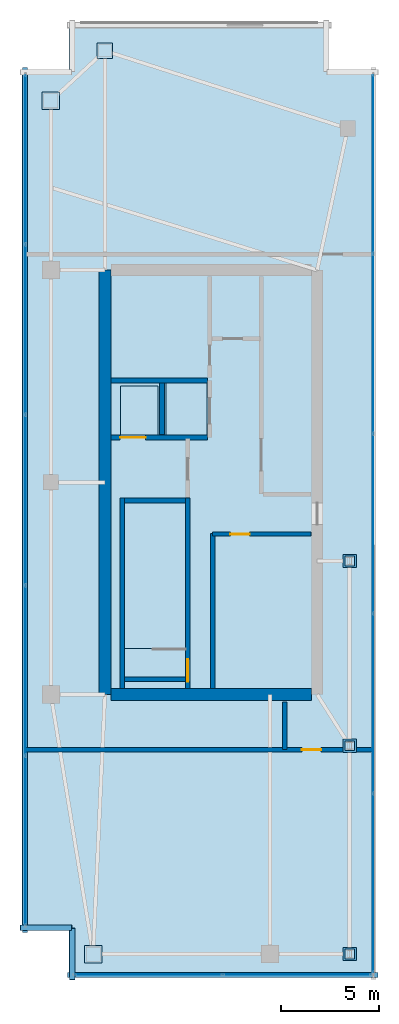
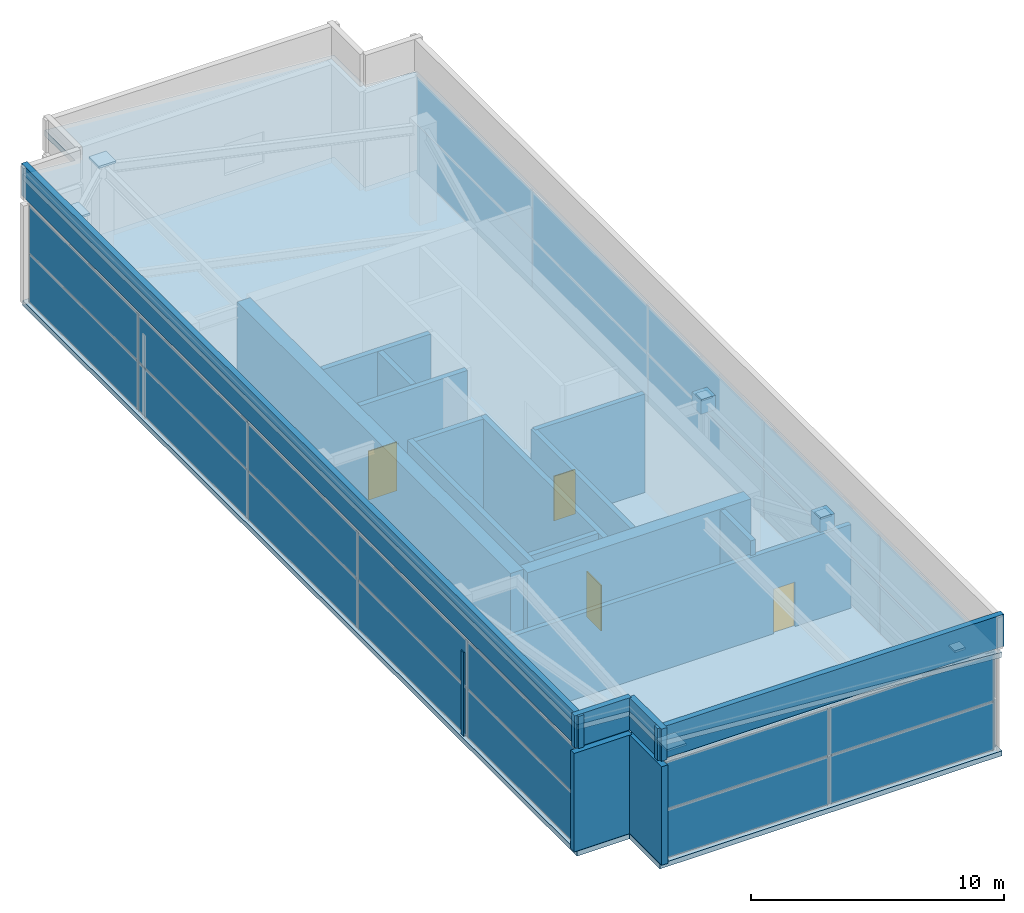
# One storey, part 18 of 20: 33 plates, 19 walls, 4 doors, 2 slabs, 4 openings, 3 elements without a shape of their own.
"""IFC4 building model written with IfcOpenShell, lengths in metres."""

from ifc_helpers import new_model, si_unit, direction, frame, frame_2d, origin, origin_2d, place, context, subcontext, project, spatial, polyline, rectangle, outline, extrude, material, layer, layer_set, type_object, element, fill, aggregate, save


model = new_model("IFC4")

# Units and contexts
model_context = context("Model", 3, precision=1e-05, world=origin(), true_north=direction((0.0, 1.0)))
body_context = subcontext(model_context, "Body", "Model", "MODEL_VIEW")
ifc_project = project(units=[si_unit("LENGTHUNIT", "METRE"), si_unit("AREAUNIT", "SQUARE_METRE"), si_unit("VOLUMEUNIT", "CUBIC_METRE"), si_unit("PLANEANGLEUNIT", "RADIAN"), si_unit("MASSUNIT", "GRAM", prefix="KILO")], contexts=[model_context])

# Site, building, storey
site_placement = place(None, origin())
site = spatial("IfcSite", under=ifc_project, at=site_placement, CompositionType="ELEMENT")
building_placement = place(site_placement, origin())
building = spatial("IfcBuilding", under=site, at=building_placement, Name="Calvorn Quay Hotel", CompositionType="ELEMENT")
storey_placement = place(building_placement, frame((0.0, 0.0, 345.5)))
storey = spatial("IfcBuildingStorey", under=building, at=storey_placement, Name="L84", CompositionType="ELEMENT", Elevation=345.5)

# Curtain wall, plates
ifc_material_1 = material(Name="Pale Anodised Aluminium and Laminated Glass", Category="aluminium")
ifc_layer_1 = layer(ifc_material_1, 0.219970703125)
ifc_layer_set_1 = layer_set([ifc_layer_1], Name="CW-SYS-CRN")
curtain_wall_type = type_object("IfcCurtainWallType", Name="CW-SYS-CRN", PredefinedType="NOTDEFINED", material=ifc_layer_set_1)
curtain_wall_1_placement = place(storey_placement, origin())
curtain_wall_1 = element("IfcCurtainWall", 1, at=curtain_wall_1_placement, inside=storey, type_object=curtain_wall_type, Name="Crown Curtain Wall L84-C1", PredefinedType="NOTDEFINED")
ifc_material_2 = material(Name="Low-E Laminated Double Glazing", Category="glass")
ifc_layer_2 = layer(ifc_material_2, 0.028076171875)
ifc_layer_set_2 = layer_set([ifc_layer_2], Name="CW-SYS-CRN-PAN")
plate_type_1 = type_object("IfcPlateType", Name="CW-SYS-CRN-PAN", PredefinedType="CURTAIN_PANEL", material=ifc_layer_set_2)
plate_1_placement = place(storey_placement, frame((6.425048828125, 2.550048828125, 0.06005859375), z_axis=(0.0, 0.0, 1.0), x_axis=(1.0, 0.0, 0.0)))
plate_1 = element("IfcPlate", 2, at=plate_1_placement, type_object=plate_type_1, Name="CW-L84-C1 panel 1.1", PredefinedType="CURTAIN_PANEL", context=body_context, shape_type="SweptSolid", body=[
    extrude(rectangle(XDim=7.489990234375, YDim=0.028076171875, at=origin_2d()), origin(), (0.0, 0.0, 1.0), 2.31005859375),
])
plate_2_placement = place(storey_placement, frame((6.425048828125, 2.550048828125, 2.43017578125), z_axis=(0.0, 0.0, 1.0), x_axis=(1.0, 0.0, 0.0)))
plate_2 = element("IfcPlate", 3, at=plate_2_placement, type_object=plate_type_1, Name="CW-L84-C1 panel 1.2", PredefinedType="CURTAIN_PANEL", context=body_context, shape_type="SweptSolid", body=[
    extrude(rectangle(XDim=7.489990234375, YDim=0.028076171875, at=origin_2d()), origin(), (0.0, 0.0, 1.0), 2.260009765625),
])
plate_3_placement = place(storey_placement, frame((13.97509765625, 2.550048828125, 0.06005859375), z_axis=(0.0, 0.0, 1.0), x_axis=(1.0, 0.0, 0.0)))
plate_3 = element("IfcPlate", 4, at=plate_3_placement, type_object=plate_type_1, Name="CW-L84-C1 panel 2.1", PredefinedType="CURTAIN_PANEL", context=body_context, shape_type="SweptSolid", body=[
    extrude(rectangle(XDim=7.489990234375, YDim=0.028076171875, at=origin_2d()), origin(), (0.0, 0.0, 1.0), 2.31005859375),
])
plate_4_placement = place(storey_placement, frame((13.97509765625, 2.550048828125, 2.43017578125), z_axis=(0.0, 0.0, 1.0), x_axis=(1.0, 0.0, 0.0)))
plate_4 = element("IfcPlate", 5, at=plate_4_placement, type_object=plate_type_1, Name="CW-L84-C1 panel 2.2", PredefinedType="CURTAIN_PANEL", context=body_context, shape_type="SweptSolid", body=[
    extrude(rectangle(XDim=7.489990234375, YDim=0.028076171875, at=origin_2d()), origin(), (0.0, 0.0, 1.0), 2.260009765625),
])
aggregate(curtain_wall_1, [plate_1, plate_2, plate_3, plate_4])

curtain_wall_2_placement = place(storey_placement, origin())
curtain_wall_2 = element("IfcCurtainWall", 6, at=curtain_wall_2_placement, inside=storey, type_object=curtain_wall_type, Name="Crown Curtain Wall L84-C2", PredefinedType="NOTDEFINED")
plate_5_placement = place(storey_placement, frame((17.85009765625, 7.2109375, 0.06005859375), z_axis=(0.0, 0.0, 1.0), x_axis=(0.0, 1.0, 0.0)))
plate_5 = element("IfcPlate", 7, at=plate_5_placement, type_object=plate_type_1, Name="CW-L84-C2 panel 1.1", PredefinedType="CURTAIN_PANEL", context=body_context, shape_type="SweptSolid", body=[
    extrude(rectangle(XDim=9.06201171875, YDim=0.028076171875, at=origin_2d()), origin(), (0.0, 0.0, 1.0), 2.31005859375),
])
plate_6_placement = place(storey_placement, frame((17.85009765625, 7.2109375, 2.43017578125), z_axis=(0.0, 0.0, 1.0), x_axis=(0.0, 1.0, 0.0)))
plate_6 = element("IfcPlate", 8, at=plate_6_placement, type_object=plate_type_1, Name="CW-L84-C2 panel 1.2", PredefinedType="CURTAIN_PANEL", context=body_context, shape_type="SweptSolid", body=[
    extrude(rectangle(XDim=9.06201171875, YDim=0.028076171875, at=origin_2d()), origin(), (0.0, 0.0, 1.0), 2.260009765625),
])
plate_7_placement = place(storey_placement, frame((17.85009765625, 16.347900390625, 0.06005859375), z_axis=(0.0, 0.0, 1.0), x_axis=(0.0, 1.0, 0.0)))
plate_7 = element("IfcPlate", 9, at=plate_7_placement, type_object=plate_type_1, Name="CW-L84-C2 panel 2.1", PredefinedType="CURTAIN_PANEL", context=body_context, shape_type="SweptSolid", body=[
    extrude(rectangle(XDim=9.092041015625, YDim=0.028076171875, at=origin_2d()), origin(), (0.0, 0.0, 1.0), 2.31005859375),
])
plate_8_placement = place(storey_placement, frame((17.85009765625, 16.347900390625, 2.43017578125), z_axis=(0.0, 0.0, 1.0), x_axis=(0.0, 1.0, 0.0)))
plate_8 = element("IfcPlate", 10, at=plate_8_placement, type_object=plate_type_1, Name="CW-L84-C2 panel 2.2", PredefinedType="CURTAIN_PANEL", context=body_context, shape_type="SweptSolid", body=[
    extrude(rectangle(XDim=9.092041015625, YDim=0.028076171875, at=origin_2d()), origin(), (0.0, 0.0, 1.0), 2.260009765625),
])
plate_9_placement = place(storey_placement, frame((17.85009765625, 25.5, 0.06005859375), z_axis=(0.0, 0.0, 1.0), x_axis=(0.0, 1.0, 0.0)))
plate_9 = element("IfcPlate", 11, at=plate_9_placement, type_object=plate_type_1, Name="CW-L84-C2 panel 3.1", PredefinedType="CURTAIN_PANEL", context=body_context, shape_type="SweptSolid", body=[
    extrude(rectangle(XDim=9.092041015625, YDim=0.028076171875, at=origin_2d()), origin(), (0.0, 0.0, 1.0), 2.31005859375),
])
plate_10_placement = place(storey_placement, frame((17.85009765625, 25.5, 2.43017578125), z_axis=(0.0, 0.0, 1.0), x_axis=(0.0, 1.0, 0.0)))
plate_10 = element("IfcPlate", 12, at=plate_10_placement, type_object=plate_type_1, Name="CW-L84-C2 panel 3.2", PredefinedType="CURTAIN_PANEL", context=body_context, shape_type="SweptSolid", body=[
    extrude(rectangle(XDim=9.092041015625, YDim=0.028076171875, at=origin_2d()), origin(), (0.0, 0.0, 1.0), 2.260009765625),
])
plate_11_placement = place(storey_placement, frame((17.85009765625, 34.652099609375, 0.06005859375), z_axis=(0.0, 0.0, 1.0), x_axis=(0.0, 1.0, 0.0)))
plate_11 = element("IfcPlate", 13, at=plate_11_placement, type_object=plate_type_1, Name="CW-L84-C2 panel 4.1", PredefinedType="CURTAIN_PANEL", context=body_context, shape_type="SweptSolid", body=[
    extrude(rectangle(XDim=9.092041015625, YDim=0.028076171875, at=origin_2d()), origin(), (0.0, 0.0, 1.0), 2.31005859375),
])
plate_12_placement = place(storey_placement, frame((17.85009765625, 34.652099609375, 2.43017578125), z_axis=(0.0, 0.0, 1.0), x_axis=(0.0, 1.0, 0.0)))
plate_12 = element("IfcPlate", 14, at=plate_12_placement, type_object=plate_type_1, Name="CW-L84-C2 panel 4.2", PredefinedType="CURTAIN_PANEL", context=body_context, shape_type="SweptSolid", body=[
    extrude(rectangle(XDim=9.092041015625, YDim=0.028076171875, at=origin_2d()), origin(), (0.0, 0.0, 1.0), 2.260009765625),
])
plate_13_placement = place(storey_placement, frame((17.85009765625, 43.7890625, 0.06005859375), z_axis=(0.0, 0.0, 1.0), x_axis=(0.0, 1.0, 0.0)))
plate_13 = element("IfcPlate", 15, at=plate_13_placement, type_object=plate_type_1, Name="CW-L84-C2 panel 5.1", PredefinedType="CURTAIN_PANEL", context=body_context, shape_type="SweptSolid", body=[
    extrude(rectangle(XDim=9.06201171875, YDim=0.028076171875, at=origin_2d()), origin(), (0.0, 0.0, 1.0), 2.31005859375),
])
plate_14_placement = place(storey_placement, frame((17.85009765625, 43.7890625, 2.43017578125), z_axis=(0.0, 0.0, 1.0), x_axis=(0.0, 1.0, 0.0)))
plate_14 = element("IfcPlate", 16, at=plate_14_placement, type_object=plate_type_1, Name="CW-L84-C2 panel 5.2", PredefinedType="CURTAIN_PANEL", context=body_context, shape_type="SweptSolid", body=[
    extrude(rectangle(XDim=9.06201171875, YDim=0.028076171875, at=origin_2d()), origin(), (0.0, 0.0, 1.0), 2.260009765625),
])
aggregate(curtain_wall_2, [plate_5, plate_6, plate_7, plate_8, plate_9, plate_10, plate_11, plate_12, plate_13, plate_14])

curtain_wall_3_placement = place(storey_placement, origin())
curtain_wall_3 = element("IfcCurtainWall", 17, at=curtain_wall_3_placement, inside=storey, type_object=curtain_wall_type, Name="Crown Curtain Wall L84-C3", PredefinedType="NOTDEFINED")
plate_15_placement = place(storey_placement, frame((0.14990234375, 44.029052734375, 0.06005859375), z_axis=(0.0, 0.0, 1.0), x_axis=(0.0, -1.0, 0.0)))
plate_15 = element("IfcPlate", 18, at=plate_15_placement, type_object=plate_type_1, Name="CW-L84-C3 panel 1.1", PredefinedType="CURTAIN_PANEL", context=body_context, shape_type="SweptSolid", body=[
    extrude(rectangle(XDim=8.58203125, YDim=0.028076171875, at=origin_2d()), origin(), (0.0, 0.0, 1.0), 2.31005859375),
])
plate_16_placement = place(storey_placement, frame((0.14990234375, 44.029052734375, 2.43017578125), z_axis=(0.0, 0.0, 1.0), x_axis=(0.0, -1.0, 0.0)))
plate_16 = element("IfcPlate", 19, at=plate_16_placement, type_object=plate_type_1, Name="CW-L84-C3 panel 1.2", PredefinedType="CURTAIN_PANEL", context=body_context, shape_type="SweptSolid", body=[
    extrude(rectangle(XDim=8.58203125, YDim=0.028076171875, at=origin_2d()), origin(), (0.0, 0.0, 1.0), 2.260009765625),
])
plate_17_placement = place(storey_placement, frame((0.14990234375, 35.3720703125, 0.06005859375), z_axis=(0.0, 0.0, 1.0), x_axis=(0.0, -1.0, 0.0)))
plate_17 = element("IfcPlate", 20, at=plate_17_placement, type_object=plate_type_1, Name="CW-L84-C3 panel 2.1", PredefinedType="CURTAIN_PANEL", context=body_context, shape_type="SweptSolid", body=[
    extrude(rectangle(XDim=8.612060546875, YDim=0.028076171875, at=origin_2d()), origin(), (0.0, 0.0, 1.0), 2.31005859375),
])
plate_18_placement = place(storey_placement, frame((0.14990234375, 35.3720703125, 2.43017578125), z_axis=(0.0, 0.0, 1.0), x_axis=(0.0, -1.0, 0.0)))
plate_18 = element("IfcPlate", 21, at=plate_18_placement, type_object=plate_type_1, Name="CW-L84-C3 panel 2.2", PredefinedType="CURTAIN_PANEL", context=body_context, shape_type="SweptSolid", body=[
    extrude(rectangle(XDim=8.612060546875, YDim=0.028076171875, at=origin_2d()), origin(), (0.0, 0.0, 1.0), 2.260009765625),
])
plate_19_placement = place(storey_placement, frame((0.14990234375, 26.699951171875, 0.06005859375), z_axis=(0.0, 0.0, 1.0), x_axis=(0.0, -1.0, 0.0)))
plate_19 = element("IfcPlate", 22, at=plate_19_placement, type_object=plate_type_1, Name="CW-L84-C3 panel 3.1", PredefinedType="CURTAIN_PANEL", context=body_context, shape_type="SweptSolid", body=[
    extrude(rectangle(XDim=8.612060546875, YDim=0.028076171875, at=origin_2d()), origin(), (0.0, 0.0, 1.0), 2.31005859375),
])
plate_20_placement = place(storey_placement, frame((0.14990234375, 26.699951171875, 2.43017578125), z_axis=(0.0, 0.0, 1.0), x_axis=(0.0, -1.0, 0.0)))
plate_20 = element("IfcPlate", 23, at=plate_20_placement, type_object=plate_type_1, Name="CW-L84-C3 panel 3.2", PredefinedType="CURTAIN_PANEL", context=body_context, shape_type="SweptSolid", body=[
    extrude(rectangle(XDim=8.612060546875, YDim=0.028076171875, at=origin_2d()), origin(), (0.0, 0.0, 1.0), 2.260009765625),
])
plate_21_placement = place(storey_placement, frame((0.14990234375, 18.028076171875, 0.06005859375), z_axis=(0.0, 0.0, 1.0), x_axis=(0.0, -1.0, 0.0)))
plate_21 = element("IfcPlate", 24, at=plate_21_placement, type_object=plate_type_1, Name="CW-L84-C3 panel 4.1", PredefinedType="CURTAIN_PANEL", context=body_context, shape_type="SweptSolid", body=[
    extrude(rectangle(XDim=8.612060546875, YDim=0.028076171875, at=origin_2d()), origin(), (0.0, 0.0, 1.0), 2.31005859375),
])
plate_22_placement = place(storey_placement, frame((0.14990234375, 18.028076171875, 2.43017578125), z_axis=(0.0, 0.0, 1.0), x_axis=(0.0, -1.0, 0.0)))
plate_22 = element("IfcPlate", 25, at=plate_22_placement, type_object=plate_type_1, Name="CW-L84-C3 panel 4.2", PredefinedType="CURTAIN_PANEL", context=body_context, shape_type="SweptSolid", body=[
    extrude(rectangle(XDim=8.612060546875, YDim=0.028076171875, at=origin_2d()), origin(), (0.0, 0.0, 1.0), 2.260009765625),
])
plate_23_placement = place(storey_placement, frame((0.14990234375, 9.37109375, 0.06005859375), z_axis=(0.0, 0.0, 1.0), x_axis=(0.0, -1.0, 0.0)))
plate_23 = element("IfcPlate", 26, at=plate_23_placement, type_object=plate_type_1, Name="CW-L84-C3 panel 5.1", PredefinedType="CURTAIN_PANEL", context=body_context, shape_type="SweptSolid", body=[
    extrude(rectangle(XDim=8.58203125, YDim=0.028076171875, at=origin_2d()), origin(), (0.0, 0.0, 1.0), 2.31005859375),
])
plate_24_placement = place(storey_placement, frame((0.14990234375, 9.37109375, 2.43017578125), z_axis=(0.0, 0.0, 1.0), x_axis=(0.0, -1.0, 0.0)))
plate_24 = element("IfcPlate", 27, at=plate_24_placement, type_object=plate_type_1, Name="CW-L84-C3 panel 5.2", PredefinedType="CURTAIN_PANEL", context=body_context, shape_type="SweptSolid", body=[
    extrude(rectangle(XDim=8.58203125, YDim=0.028076171875, at=origin_2d()), origin(), (0.0, 0.0, 1.0), 2.260009765625),
])
aggregate(curtain_wall_3, [plate_15, plate_16, plate_17, plate_18, plate_19, plate_20, plate_21, plate_22, plate_23, plate_24])

# Plates
ifc_material_3 = material(Name="Steel Q390GJC", Category="steel")
ifc_layer_3 = layer(ifc_material_3, 0.031982421875)
ifc_layer_set_3 = layer_set([ifc_layer_3], Name="PLT-SPLICE-32")
plate_type_2 = type_object("IfcPlateType", Name="PLT-SPLICE-32", PredefinedType="USERDEFINED", material=ifc_layer_set_3)
for number, where, z_axis, x_axis, name in (
    (28, (3.60009765625, 3.60009765625, 4.68994140625), (0.0, 0.0, 1.0), (1.0, 0.0, 0.0), "Column Top Cap Plate C-W1 (L84)"),
    (29, (1.449951171875, 47.0, 4.68994140625), (0.0, 0.0, 1.0), (1.0, 0.0, 0.0), "Column Top Cap Plate C-W5 (L84)"),
):
    element("IfcPlate", number, at=place(storey_placement, frame(where, z_axis=z_axis, x_axis=x_axis)), inside=storey, type_object=plate_type_2, Name=name, ObjectType="SPLICE_PLATE", PredefinedType="USERDEFINED", context=body_context, shape_type="SweptSolid", body=[
        extrude(rectangle(XDim=0.889892578125, YDim=0.889892578125, at=origin_2d()), origin(), (0.0, 0.0, 1.0), 0.10009765625),
    ])
plate_25_placement = place(storey_placement, frame((4.199951171875, 49.550048828125, 4.68994140625), z_axis=(0.0, 0.0, 1.0), x_axis=(1.0, 0.0, 0.0)))
element("IfcPlate", 30, at=plate_25_placement, inside=storey, type_object=plate_type_2, Name="Column Top Cap Plate C-NW1 (L84)", ObjectType="SPLICE_PLATE", PredefinedType="USERDEFINED", context=body_context, shape_type="SweptSolid", body=[
    extrude(rectangle(XDim=0.7900390625, YDim=0.7900390625, at=origin_2d()), origin(), (0.0, 0.0, 1.0), 0.10009765625),
])
for number, where, z_axis, x_axis, name in (
    (31, (16.64990234375, 3.60009765625, 4.68994140625), (0.0, 0.0, 1.0), (1.0, 0.0, 0.0), "Column Top Cap Plate C-CR1 (L84)"),
    (32, (16.64990234375, 14.199951171875, 4.68994140625), (0.0, 0.0, 1.0), (1.0, 0.0, 0.0), "Column Top Cap Plate C-CR2 (L84)"),
    (33, (16.64990234375, 23.60009765625, 4.68994140625), (0.0, 0.0, 1.0), (1.0, 0.0, 0.0), "Column Top Cap Plate C-CR3 (L84)"),
):
    element("IfcPlate", number, at=place(storey_placement, frame(where, z_axis=z_axis, x_axis=x_axis)), inside=storey, type_object=plate_type_2, Name=name, ObjectType="SPLICE_PLATE", PredefinedType="USERDEFINED", context=body_context, shape_type="SweptSolid", body=[
        extrude(rectangle(XDim=0.489990234375, YDim=0.489990234375, at=origin_2d()), origin(), (0.0, 0.0, 1.0), 0.10009765625),
    ])
for number, where, z_axis, x_axis, name in (
    (34, (16.64990234375, 3.60009765625, 4.16015625), (0.0, 0.0, 1.0), (1.0, 0.0, 0.0), "Raking Rafter End Cap Plate L84-1"),
    (35, (16.64990234375, 14.199951171875, 4.16015625), (0.0, 0.0, 1.0), (1.0, 0.0, 0.0), "Raking Rafter End Cap Plate L84-2"),
    (36, (16.64990234375, 23.60009765625, 4.16015625), (0.0, 0.0, 1.0), (1.0, 0.0, 0.0), "Raking Rafter End Cap Plate L84-3"),
):
    element("IfcPlate", number, at=place(storey_placement, frame(where, z_axis=z_axis, x_axis=x_axis)), inside=storey, type_object=plate_type_2, Name=name, ObjectType="SPLICE_PLATE", PredefinedType="USERDEFINED", context=body_context, shape_type="SweptSolid", body=[
        extrude(rectangle(XDim=0.679931640625, YDim=0.679931640625, at=origin_2d()), origin(), (0.0, 0.0, 1.0), 0.679931640625),
    ])

# Slabs
ifc_material_4 = material(Name="Concrete C40", Category="concrete")
ifc_layer_4 = layer(ifc_material_4, 0.25)
ifc_layer_set_4 = layer_set([ifc_layer_4], Name="SLB-CROWN-ROOF-250")
slab_type_1 = type_object("IfcSlabType", Name="SLB-CROWN-ROOF-250", PredefinedType="ROOF", material=ifc_layer_set_4)
slab_1_placement = place(storey_placement, frame((0.0, 4.800048828125, 6.10009765625), z_axis=(0.07479458956, 4.34386e-07, 0.997198961779), x_axis=(0.997198961779, 3.1e-11, -0.07479458956)))
element("IfcSlab", 37, at=slab_1_placement, inside=storey, type_object=slab_type_1, Name="Crown Slanted Apex Roof Slab", PredefinedType="ROOF", context=body_context, shape_type="SweptSolid", body=[
    extrude(outline(polyline([(0.0, 0.0), (2.4066562991650557, 0.0), (2.406656299090807, -2.400146484374774), (18.050561312007794, -2.4001464849273613), (18.050561313436997, 43.80004882756828), (15.643923274669785, 43.80004882767404), (15.643923274744026, 46.19995117142381), (2.4066563005942525, 46.199951171870644), (2.4066563005200114, 43.80004882812087), (1.3549558084583427e-09, 43.80004882812087), (0.0, 0.0)])), origin(), (0.0, 0.0, -1.0), 0.25),
])
ifc_material_5 = material(Name="Concrete C40", Category="concrete")
ifc_layer_5 = layer(ifc_material_5, 0.239990234375)
ifc_layer_set_5 = layer_set([ifc_layer_5], Name="SLB-TOWER-240")
slab_type_2 = type_object("IfcSlabType", Name="SLB-TOWER-240", PredefinedType="FLOOR", material=ifc_layer_set_5)
slab_2_placement = place(storey_placement, frame((0.0, 0.0, -0.239990234375)))
element("IfcSlab", 38, at=slab_2_placement, inside=storey, type_object=slab_type_2, Name="L84 Structural Floor Slab", PredefinedType="FLOOR", context=body_context, shape_type="SweptSolid", body=[
    extrude(outline(polyline([(0.0, 4.800048828125), (2.39990234375, 4.800048828125), (2.39990234375, 2.39990234375), (18.0, 2.39990234375), (18.0, 48.60009765625), (15.60009765625, 48.60009765625), (15.60009765625, 51.0), (2.39990234375, 51.0), (2.39990234375, 48.60009765625), (0.0, 48.60009765625), (0.0, 4.800048828125)]), holes=[polyline([(5.199951171875, 19.156005859375), (8.300048828125, 19.156005859375), (8.300048828125, 26.550048828125), (5.199951171875, 26.550048828125), (5.199951171875, 19.156005859375)]), polyline([(5.0, 30.0), (6.89990234375, 30.0), (6.89990234375, 32.5), (5.0, 32.5), (5.0, 30.0)]), polyline([(7.300048828125, 30.0), (9.39990234375, 30.0), (9.39990234375, 32.64990234375), (7.300048828125, 32.64990234375), (7.300048828125, 30.0)])]), origin(), (0.0, 0.0, 1.0), 0.239990234375),
])

# Walls
ifc_material_6 = material(Name="Concrete C45", Category="concrete")
ifc_layer_6 = layer(ifc_material_6, 0.60009765625)
ifc_layer_set_6 = layer_set([ifc_layer_6], Name="WL-CORE-600")
wall_type_1 = type_object("IfcWallType", Name="WL-CORE-600", PredefinedType="SHEAR", material=ifc_layer_set_6)
wall_1_placement = place(storey_placement, frame((4.199951171875, 16.800048828125, 0.0), z_axis=(0.0, 0.0, 1.0), x_axis=(0.0, 1.0, 0.0)))
element("IfcWall", 39, at=wall_1_placement, inside=storey, type_object=wall_type_1, Name="West Core Shear Wall W (L84)", PredefinedType="SHEAR", context=body_context, shape_type="SweptSolid", body=[
    extrude(rectangle(XDim=21.599853515625, YDim=0.60009765625, at=frame_2d((10.7998046875, 0.0))), origin(), (0.0, 0.0, 1.0), 4.75),
])
wall_2_placement = place(storey_placement, frame((4.5, 16.800048828125, 0.0), z_axis=(0.0, 0.0, 1.0), x_axis=(1.0, 0.0, 0.0)))
element("IfcWall", 40, at=wall_2_placement, inside=storey, type_object=wall_type_1, Name="West Core Shear Wall S (L84)", PredefinedType="SHEAR", context=body_context, shape_type="SweptSolid", body=[
    extrude(rectangle(XDim=10.199951171875, YDim=0.60009765625, at=frame_2d((5.10009765625, 0.0))), origin(), (0.0, 0.0, 1.0), 4.75),
])
ifc_material_7 = material(Name="Concrete C40", Category="concrete")
ifc_layer_7 = layer(ifc_material_7, 0.320068359375)
ifc_layer_set_7 = layer_set([ifc_layer_7], Name="WL-EXT-SPANDREL-320")
wall_type_2 = type_object("IfcWallType", Name="WL-EXT-SPANDREL-320", PredefinedType="SOLIDWALL", material=ifc_layer_set_7)
wall_3_placement = place(storey_placement, frame((-0.1201171875, 4.949951171875, 0.0), z_axis=(0.0, 0.0, 1.0), x_axis=(1.0, 0.0, 0.0)))
element("IfcWall", 41, at=wall_3_placement, inside=storey, type_object=wall_type_2, Name="Crown Notched Corner Spandrel L84-C1", PredefinedType="SOLIDWALL", context=body_context, shape_type="SweptSolid", body=[
    extrude(rectangle(XDim=2.64013671875, YDim=0.280029296875, at=frame_2d((1.320068359375, 0.0))), origin(), (0.0, 0.0, 1.0), 4.75),
])
wall_4_placement = place(storey_placement, frame((2.550048828125, 4.919921875, 0.0), z_axis=(0.0, 0.0, 1.0), x_axis=(0.0, -1.0, 0.0)))
element("IfcWall", 42, at=wall_4_placement, inside=storey, type_object=wall_type_2, Name="Crown Notched Corner Spandrel L84-C2", PredefinedType="SOLIDWALL", context=body_context, shape_type="SweptSolid", body=[
    extrude(rectangle(XDim=2.639892578125, YDim=0.280029296875, at=frame_2d((1.31982421875, 0.0))), origin(), (0.0, 0.0, 1.0), 4.75),
])
ifc_material_8 = material(Name="Autoclaved Aerated Masonry Block", Category="masonry")
ifc_layer_8 = layer(ifc_material_8, 0.219970703125)
ifc_layer_set_8 = layer_set([ifc_layer_8], Name="WL-LOBBY-FIRE-220")
wall_type_3 = type_object("IfcWallType", Name="WL-LOBBY-FIRE-220", PredefinedType="SOLIDWALL", material=ifc_layer_set_8)
wall_5_placement = place(storey_placement, frame((9.679931640625, 17.1201171875, 0.0), z_axis=(0.0, 0.0, 1.0), x_axis=(0.0, 1.0, 0.0)))
element("IfcWall", 43, at=wall_5_placement, inside=storey, type_object=wall_type_3, Name="Partition Wall L84-WL-CWW-STW-HALL-E", PredefinedType="SOLIDWALL", context=body_context, shape_type="SweptSolid", body=[
    extrude(rectangle(XDim=7.8798828125, YDim=0.219970703125, at=frame_2d((3.93994140625, 0.0))), origin(), (0.0, 0.0, 1.0), 4.75),
])

# Wall, opening, door
wall_6_placement = place(storey_placement, frame((9.679931640625, 24.969970703125, 0.0), z_axis=(0.0, 0.0, 1.0), x_axis=(1.0, 0.0, 0.0)))
wall_6 = element("IfcWall", 44, at=wall_6_placement, inside=storey, type_object=wall_type_3, Name="Partition Wall L84-WL-CWW-CRN-N", PredefinedType="SOLIDWALL", context=body_context, shape_type="SweptSolid", body=[
    extrude(rectangle(XDim=5.0, YDim=0.219970703125, at=frame_2d((2.5, 0.0))), origin(), (0.0, 0.0, 1.0), 4.75),
])
opening_1_placement = place(wall_6_placement, frame((0.89990234375, 0.0, 0.0)))
opening_1 = element("IfcOpeningElement", 45, at=opening_1_placement, cuts=wall_6, Name="Opening D-L84-CCR", PredefinedType="OPENING", context=body_context, shape_type="SweptSolid", body=[
    extrude(rectangle(XDim=0.97998046875, YDim=2.14990234375, at=frame_2d((0.489990234375, 1.074951171875))), frame((0.0, 0.119873046875, 0.0), z_axis=(0.0, -1.0, 0.0), x_axis=(1.0, 0.0, 0.0)), (0.0, 0.0, 1.0), 0.239990234375),
])
ifc_material_9 = material(Name="Painted Steel Housekeeping/Riser Fire Door", Category="steel")
door_type_1 = type_object("IfcDoorType", Name="DR-SERVICE-980", OperationType="NOTDEFINED", PredefinedType="DOOR", material=ifc_material_9)
door_1_placement = place(opening_1_placement, origin())
door_1 = element("IfcDoor", 46, at=door_1_placement, inside=storey, type_object=door_type_1, Name="Crown Core Fan Door (L84)", OperationType="SINGLE_SWING_LEFT", OverallHeight=2.14990234375, OverallWidth=0.97998046875, PredefinedType="DOOR", context=body_context, shape_type="SweptSolid", body=[
    extrude(rectangle(XDim=0.97998046875, YDim=2.14990234375, at=frame_2d((0.489990234375, 1.074951171875))), frame((0.0, 0.02490234375, 0.0), z_axis=(0.0, -1.0, 0.0), x_axis=(1.0, 0.0, 0.0)), (0.0, 0.0, 1.0), 0.050048828125),
])
fill(opening_1, door_1)

# Wall
wall_7_placement = place(storey_placement, frame((13.35009765625, 14.0, 0.0), z_axis=(0.0, 0.0, 1.0), x_axis=(0.0, 1.0, 0.0)))
element("IfcWall", 47, at=wall_7_placement, inside=storey, type_object=wall_type_3, Name="Partition Wall L84-WL-CR-SV-W", PredefinedType="SOLIDWALL", context=body_context, shape_type="SweptSolid", body=[
    extrude(rectangle(XDim=2.419921875, YDim=0.219970703125, at=frame_2d((1.2099609375, 0.0))), origin(), (0.0, 0.0, 1.0), 4.75),
])

# Wall, opening, door
wall_8_placement = place(storey_placement, frame((0.080078125, 14.0, 0.0), z_axis=(0.0, 0.0, 1.0), x_axis=(1.0, 0.0, 0.0)))
wall_8 = element("IfcWall", 48, at=wall_8_placement, inside=storey, type_object=wall_type_3, Name="Partition Wall L84-WL-CR-S", PredefinedType="SOLIDWALL", context=body_context, shape_type="SweptSolid", body=[
    extrude(rectangle(XDim=17.669921875, YDim=0.219970703125, at=frame_2d((8.8349609375, 0.0))), origin(), (0.0, 0.0, 1.0), 4.030029296875),
])
opening_2_placement = place(wall_8_placement, frame((14.139892578125, 0.0, 0.0)))
opening_2 = element("IfcOpeningElement", 49, at=opening_2_placement, cuts=wall_8, Name="Opening D-L84-C1", PredefinedType="OPENING", context=body_context, shape_type="SweptSolid", body=[
    extrude(rectangle(XDim=0.97998046875, YDim=2.14990234375, at=frame_2d((0.489990234375, 1.074951171875))), frame((0.0, 0.119873046875, 0.0), z_axis=(0.0, -1.0, 0.0), x_axis=(1.0, 0.0, 0.0)), (0.0, 0.0, 1.0), 0.239990234375),
])
door_2_placement = place(opening_2_placement, origin())
door_2 = element("IfcDoor", 50, at=door_2_placement, inside=storey, type_object=door_type_1, Name="Crown Exhaust Plant Door", OperationType="SINGLE_SWING_LEFT", OverallHeight=2.14990234375, OverallWidth=0.97998046875, PredefinedType="DOOR", context=body_context, shape_type="SweptSolid", body=[
    extrude(rectangle(XDim=0.97998046875, YDim=2.14990234375, at=frame_2d((0.489990234375, 1.074951171875))), frame((0.0, 0.02490234375, 0.0), z_axis=(0.0, -1.0, 0.0), x_axis=(1.0, 0.0, 0.0)), (0.0, 0.0, 1.0), 0.050048828125),
])
fill(opening_2, door_2)

# Walls
ifc_material_10 = material(Name="Concrete C40", Category="concrete")
ifc_layer_9 = layer(ifc_material_10, 0.260009765625)
ifc_layer_set_9 = layer_set([ifc_layer_9], Name="WL-PARAPET-260")
wall_type_4 = type_object("IfcWallType", Name="WL-PARAPET-260", PredefinedType="PARAPET", material=ifc_layer_set_9)
wall_9_placement = place(storey_placement, frame((-0.10009765625, 4.93994140625, 5.0), z_axis=(0.0, 0.0, 1.0), x_axis=(1.0, 0.0, 0.0)))
element("IfcWall", 51, at=wall_9_placement, inside=storey, type_object=wall_type_4, Name="Crown Apex Parapet 01", PredefinedType="PARAPET", context=body_context, shape_type="SweptSolid", body=[
    extrude(rectangle(XDim=2.60009765625, YDim=0.260009765625, at=frame_2d((1.300048828125, 0.0))), origin(), (0.0, 0.0, 1.0), 1.550048828125),
])
wall_10_placement = place(storey_placement, frame((2.5400390625, 4.89990234375, 5.0), z_axis=(0.0, 0.0, 1.0), x_axis=(0.0, -1.0, 0.0)))
element("IfcWall", 52, at=wall_10_placement, inside=storey, type_object=wall_type_4, Name="Crown Apex Parapet 02", PredefinedType="PARAPET", context=body_context, shape_type="SweptSolid", body=[
    extrude(rectangle(XDim=2.599853515625, YDim=0.260009765625, at=frame_2d((1.2998046875, 0.0))), origin(), (0.0, 0.0, 1.0), 1.550048828125),
])
wall_11_placement = place(storey_placement, frame((2.300048828125, 2.5400390625, 5.0), z_axis=(0.0, 0.0, 1.0), x_axis=(1.0, 0.0, 0.0)))
element("IfcWall", 53, at=wall_11_placement, inside=storey, type_object=wall_type_4, Name="Crown Apex Parapet 03", PredefinedType="PARAPET", context=body_context, shape_type="SweptSolid", body=[
    extrude(rectangle(XDim=15.800048828125, YDim=0.260009765625, at=frame_2d((7.89990234375, 0.0))), origin(), (0.0, 0.0, 1.0), 1.550048828125),
])
wall_12_placement = place(storey_placement, frame((0.139892578125, 48.699951171875, 5.0), z_axis=(0.0, 0.0, 1.0), x_axis=(0.0, -1.0, 0.0)))
element("IfcWall", 54, at=wall_12_placement, inside=storey, type_object=wall_type_4, Name="Crown Apex Parapet 10", PredefinedType="PARAPET", context=body_context, shape_type="SweptSolid", body=[
    extrude(rectangle(XDim=44.0, YDim=0.260009765625, at=frame_2d((22.0, 0.0))), origin(), (0.0, 0.0, 1.0), 1.550048828125),
])
ifc_material_11 = material(Name="Concrete C40", Category="concrete")
ifc_layer_10 = layer(ifc_material_11, 0.239990234375)
ifc_layer_set_10 = layer_set([ifc_layer_10], Name="WL-SHAFT-240")
wall_type_5 = type_object("IfcWallType", Name="WL-SHAFT-240", PredefinedType="SOLIDWALL", material=ifc_layer_set_10)
wall_13_placement = place(storey_placement, frame((5.080078125, 17.10009765625, 0.0), z_axis=(0.0, 0.0, 1.0), x_axis=(0.0, 1.0, 0.0)))
element("IfcWall", 55, at=wall_13_placement, inside=storey, type_object=wall_type_5, Name="Stair STW Shaft Wall W (L84)", PredefinedType="SOLIDWALL", context=body_context, shape_type="SweptSolid", body=[
    extrude(rectangle(XDim=9.68994140625, YDim=0.239990234375, at=frame_2d((4.844970703125, 0.0))), origin(), (0.0, 0.0, 1.0), 4.75),
])

# Wall, opening, door
wall_14_placement = place(storey_placement, frame((8.419921875, 17.10009765625, 0.0), z_axis=(0.0, 0.0, 1.0), x_axis=(0.0, 1.0, 0.0)))
wall_14 = element("IfcWall", 56, at=wall_14_placement, inside=storey, type_object=wall_type_5, Name="Stair STW Shaft Wall E (L84)", PredefinedType="SOLIDWALL", context=body_context, shape_type="SweptSolid", body=[
    extrude(rectangle(XDim=9.68994140625, YDim=0.239990234375, at=frame_2d((4.844970703125, 0.0))), origin(), (0.0, 0.0, 1.0), 4.75),
])
opening_3_placement = place(wall_14_placement, frame((0.35009765625, 0.0, 0.0)))
opening_3 = element("IfcOpeningElement", 57, at=opening_3_placement, cuts=wall_14, Name="Opening D-L84-STW", PredefinedType="OPENING", context=body_context, shape_type="SweptSolid", body=[
    extrude(rectangle(XDim=1.14990234375, YDim=2.199951171875, at=frame_2d((0.574951171875, 1.10009765625))), frame((0.0, 0.1298828125, 0.0), z_axis=(0.0, -1.0, 0.0), x_axis=(1.0, 0.0, 0.0)), (0.0, 0.0, 1.0), 0.260009765625),
])
ifc_material_12 = material(Name="Galvanised Steel Class A Fire Door", Category="steel")
door_type_2 = type_object("IfcDoorType", Name="DR-STAIR-SMOKE-1150", OperationType="NOTDEFINED", PredefinedType="DOOR", material=ifc_material_12)
door_3_placement = place(opening_3_placement, origin())
door_3 = element("IfcDoor", 58, at=door_3_placement, inside=storey, type_object=door_type_2, Name="Stair ST-W Fire Door (L84)", OperationType="SINGLE_SWING_LEFT", OverallHeight=2.199951171875, OverallWidth=1.14990234375, PredefinedType="DOOR", context=body_context, shape_type="SweptSolid", body=[
    extrude(rectangle(XDim=1.14990234375, YDim=2.199951171875, at=frame_2d((0.574951171875, 1.10009765625))), frame((0.0, 0.02490234375, 0.0), z_axis=(0.0, -1.0, 0.0), x_axis=(1.0, 0.0, 0.0)), (0.0, 0.0, 1.0), 0.050048828125),
])
fill(opening_3, door_3)

# Walls
for number, where, z_axis, x_axis, name in (
    (59, (5.199951171875, 17.580078125, 0.0), (0.0, 0.0, 1.0), (1.0, 0.0, 0.0), "Stair STW Shaft Wall S (L84)"),
    (60, (5.199951171875, 26.669921875, 0.0), (0.0, 0.0, 1.0), (1.0, 0.0, 0.0), "Stair STW Shaft Wall N (L84)"),
):
    element("IfcWall", number, at=place(storey_placement, frame(where, z_axis=z_axis, x_axis=x_axis)), inside=storey, type_object=wall_type_5, Name=name, PredefinedType="SOLIDWALL", context=body_context, shape_type="SweptSolid", body=[
        extrude(rectangle(XDim=3.10009765625, YDim=0.239990234375, at=frame_2d((1.550048828125, 0.0))), origin(), (0.0, 0.0, 1.0), 4.75),
    ])

# Wall, opening, door
wall_15_placement = place(storey_placement, frame((4.52001953125, 29.8798828125, 0.0), z_axis=(0.0, 0.0, 1.0), x_axis=(1.0, 0.0, 0.0)))
wall_15 = element("IfcWall", 61, at=wall_15_placement, inside=storey, type_object=wall_type_5, Name="Partition Wall L84-WL-CWW-FLW-S", PredefinedType="SOLIDWALL", context=body_context, shape_type="SweptSolid", body=[
    extrude(rectangle(XDim=4.89990234375, YDim=0.239990234375, at=frame_2d((2.449951171875, 0.0))), origin(), (0.0, 0.0, 1.0), 4.75),
])
opening_4_placement = place(wall_15_placement, frame((0.449951171875, 0.0, 0.0)))
opening_4 = element("IfcOpeningElement", 62, at=opening_4_placement, cuts=wall_15, Name="Opening LD-L84-FLW1", PredefinedType="OPENING", context=body_context, shape_type="SweptSolid", body=[
    extrude(rectangle(XDim=1.300048828125, YDim=2.35009765625, at=frame_2d((0.64990234375, 1.175048828125))), frame((0.0, 0.1298828125, 0.0), z_axis=(0.0, -1.0, 0.0), x_axis=(1.0, 0.0, 0.0)), (0.0, 0.0, 1.0), 0.260009765625),
])
ifc_material_13 = material(Name="Champagne-Bronze Sliding Express Lift Landing Door")
door_type_3 = type_object("IfcDoorType", Name="DR-LIFT-SHUTTLE-1300", OperationType="NOTDEFINED", PredefinedType="DOOR", material=ifc_material_13)
door_4_placement = place(opening_4_placement, origin())
door_4 = element("IfcDoor", 63, at=door_4_placement, inside=storey, type_object=door_type_3, Name="Firefighting Lift FL-W1 Landing Door (L84)", OperationType="DOUBLE_DOOR_SLIDING", OverallHeight=2.35009765625, OverallWidth=1.300048828125, PredefinedType="DOOR", context=body_context, shape_type="SweptSolid", body=[
    extrude(rectangle(XDim=1.300048828125, YDim=2.35009765625, at=frame_2d((0.64990234375, 1.175048828125))), frame((0.0, 0.02490234375, 0.0), z_axis=(0.0, -1.0, 0.0), x_axis=(1.0, 0.0, 0.0)), (0.0, 0.0, 1.0), 0.050048828125),
])
fill(opening_4, door_4)

# Walls
wall_16_placement = place(storey_placement, frame((7.10009765625, 30.02001953125, 0.0), z_axis=(0.0, 0.0, 1.0), x_axis=(0.0, 1.0, 0.0)))
element("IfcWall", 64, at=wall_16_placement, inside=storey, type_object=wall_type_5, Name="Partition Wall L84-WL-CWW-FLW-DIV", PredefinedType="SOLIDWALL", context=body_context, shape_type="SweptSolid", body=[
    extrude(rectangle(XDim=2.6298828125, YDim=0.239990234375, at=frame_2d((1.31494140625, 0.0))), origin(), (0.0, 0.0, 1.0), 4.75),
])
wall_17_placement = place(storey_placement, frame((4.52001953125, 32.780029296875, 0.0), z_axis=(0.0, 0.0, 1.0), x_axis=(1.0, 0.0, 0.0)))
element("IfcWall", 65, at=wall_17_placement, inside=storey, type_object=wall_type_5, Name="Partition Wall L84-WL-CWW-SLW-N", PredefinedType="SOLIDWALL", context=body_context, shape_type="SweptSolid", body=[
    extrude(rectangle(XDim=4.89990234375, YDim=0.239990234375, at=frame_2d((2.449951171875, 0.0))), origin(), (0.0, 0.0, 1.0), 4.75),
])

save(model, "model.ifc")
